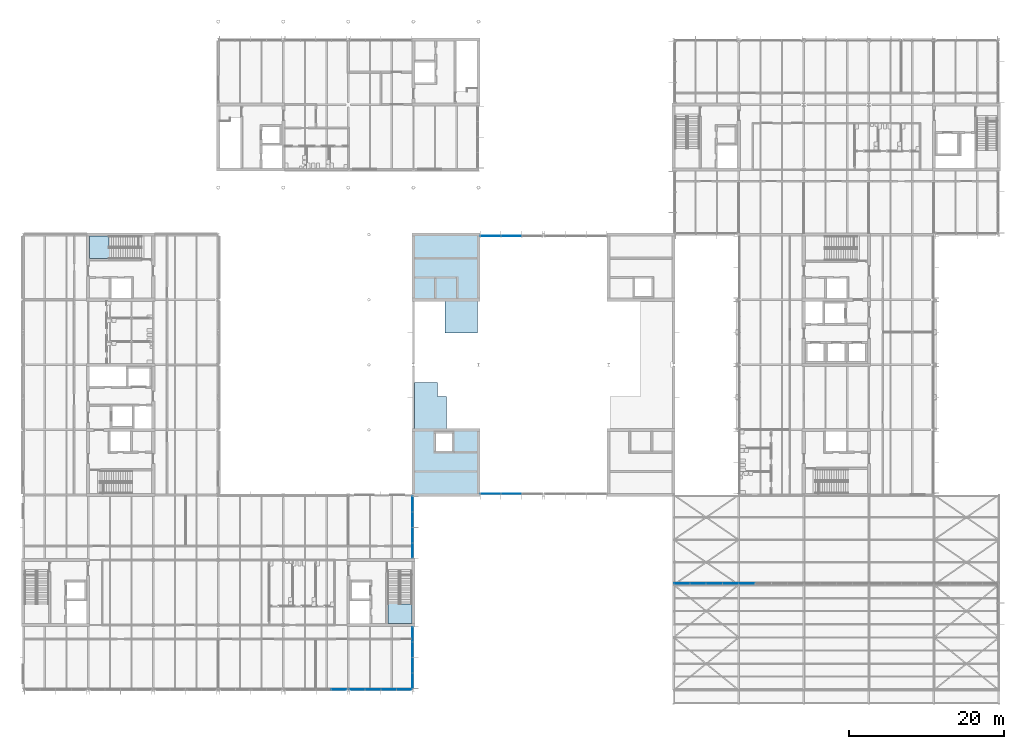
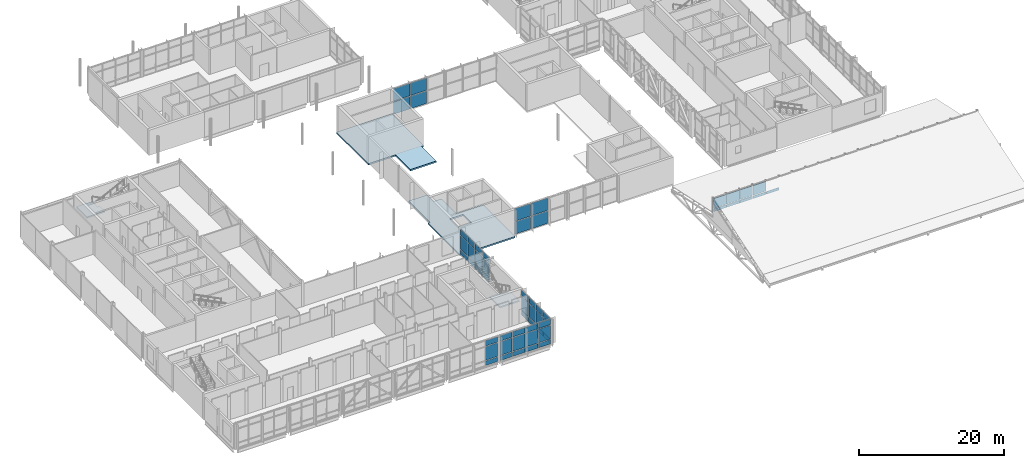
# One storey, part 40 of 89: 56 plates, 4 slabs, 9 elements without a shape of their own.
"""IFC4 building model written with IfcOpenShell, lengths in metres."""

from ifc_helpers import new_model, si_unit, direction, frame, origin, origin_2d, place, context, subcontext, project, spatial, polyline, rectangle, outline, extrude, material, layer, layer_set, type_object, element, aggregate, save


model = new_model("IFC4")

# Units and contexts
model_context = context("Model", 3, precision=1e-05, world=origin(), true_north=direction((0.0, 1.0)))
body_context = subcontext(model_context, "Body", "Model", "MODEL_VIEW")
ifc_project = project(units=[si_unit("LENGTHUNIT", "METRE"), si_unit("AREAUNIT", "SQUARE_METRE"), si_unit("VOLUMEUNIT", "CUBIC_METRE"), si_unit("PLANEANGLEUNIT", "RADIAN"), si_unit("MASSUNIT", "GRAM", prefix="KILO")], contexts=[model_context])

# Site, building, storey
site_placement = place(None, origin())
site = spatial("IfcSite", under=ifc_project, at=site_placement, CompositionType="ELEMENT")
building_placement = place(site_placement, origin())
building = spatial("IfcBuilding", under=site, at=building_placement, Name="Hlaing Beacon Police Headquarters", CompositionType="ELEMENT")
storey_placement = place(building_placement, frame((0.0, 0.0, 9.89990234375)))
storey = spatial("IfcBuildingStorey", under=building, at=storey_placement, Name="L02", CompositionType="ELEMENT", Elevation=9.89990234375)

# Curtain wall, plates
ifc_material_1 = material(Name="Aluminium frame with solar control glazing", Category="aluminium")
curtain_wall_type_1 = type_object("IfcCurtainWallType", Name="Unitised curtain wall 8.02 x 4.37", PredefinedType="NOTDEFINED", material=ifc_material_1)
curtain_wall_1_placement = place(storey_placement, origin())
curtain_wall_1 = element("IfcCurtainWall", 1, at=curtain_wall_1_placement, inside=storey, type_object=curtain_wall_type_1, Name="ENV-CW-L02-E007", PredefinedType="NOTDEFINED")
ifc_material_2 = material(Name="Solar control glazing", Category="glass")
ifc_layer_1 = layer(ifc_material_2, 0.02392578125)
ifc_layer_set_1 = layer_set([ifc_layer_1], Name="Solar control glazing")
plate_type_1 = type_object("IfcPlateType", Name="Clear glazing panel 24", PredefinedType="CURTAIN_PANEL", material=ifc_layer_set_1)
plate_1_placement = place(storey_placement, frame((58.699951171875, 9.594482421875, 3.35009765625), z_axis=(0.0, 0.0, 1.0), x_axis=(0.0, 1.0, 0.0)))
plate_1 = element("IfcPlate", 2, at=plate_1_placement, type_object=plate_type_1, Name="CW-L02-E007 panel 1.3", PredefinedType="CURTAIN_PANEL", context=body_context, shape_type="SweptSolid", body=[
    extrude(rectangle(XDim=1.915771484375, YDim=0.02392578125, at=origin_2d()), origin(), (0.0, 0.0, 1.0), 0.919921875),
])
plate_2_placement = place(storey_placement, frame((58.699951171875, 11.585205078125, 3.35009765625), z_axis=(0.0, 0.0, 1.0), x_axis=(0.0, 1.0, 0.0)))
plate_2 = element("IfcPlate", 3, at=plate_2_placement, type_object=plate_type_1, Name="CW-L02-E007 panel 2.3", PredefinedType="CURTAIN_PANEL", context=body_context, shape_type="SweptSolid", body=[
    extrude(rectangle(XDim=1.94580078125, YDim=0.02392578125, at=origin_2d()), origin(), (0.0, 0.0, 1.0), 0.919921875),
])
plate_3_placement = place(storey_placement, frame((58.699951171875, 13.59130859375, 3.35009765625), z_axis=(0.0, 0.0, 1.0), x_axis=(0.0, 1.0, 0.0)))
plate_3 = element("IfcPlate", 4, at=plate_3_placement, type_object=plate_type_1, Name="CW-L02-E007 panel 3.3", PredefinedType="CURTAIN_PANEL", context=body_context, shape_type="SweptSolid", body=[
    extrude(rectangle(XDim=1.94580078125, YDim=0.02392578125, at=origin_2d()), origin(), (0.0, 0.0, 1.0), 0.919921875),
])
plate_4_placement = place(storey_placement, frame((58.699951171875, 15.58203125, 3.35009765625), z_axis=(0.0, 0.0, 1.0), x_axis=(0.0, 1.0, 0.0)))
plate_4 = element("IfcPlate", 5, at=plate_4_placement, type_object=plate_type_1, Name="CW-L02-E007 panel 4.3", PredefinedType="CURTAIN_PANEL", context=body_context, shape_type="SweptSolid", body=[
    extrude(rectangle(XDim=1.915771484375, YDim=0.02392578125, at=origin_2d()), origin(), (0.0, 0.0, 1.0), 0.919921875),
])

ifc_material_3 = material(Name="Aluminium frame with solar control glazing", Category="aluminium")
curtain_wall_type_2 = type_object("IfcCurtainWallType", Name="Unitised curtain wall 8.00 x 4.37", PredefinedType="NOTDEFINED", material=ifc_material_3)
curtain_wall_2_placement = place(storey_placement, origin())
curtain_wall_2 = element("IfcCurtainWall", 6, at=curtain_wall_2_placement, inside=storey, type_object=curtain_wall_type_2, Name="ENV-CW-L02-E008", PredefinedType="NOTDEFINED")
plate_5_placement = place(storey_placement, frame((58.699951171875, 26.4150390625, 3.35009765625), z_axis=(0.0, 0.0, 1.0), x_axis=(0.0, 1.0, 0.0)))
plate_5 = element("IfcPlate", 7, at=plate_5_placement, type_object=plate_type_1, Name="CW-L02-E008 panel 1.3", PredefinedType="CURTAIN_PANEL", context=body_context, shape_type="SweptSolid", body=[
    extrude(rectangle(XDim=1.909912109375, YDim=0.02392578125, at=origin_2d()), origin(), (0.0, 0.0, 1.0), 0.919921875),
])
plate_6_placement = place(storey_placement, frame((58.699951171875, 28.39990234375, 3.35009765625), z_axis=(0.0, 0.0, 1.0), x_axis=(0.0, 1.0, 0.0)))
plate_6 = element("IfcPlate", 8, at=plate_6_placement, type_object=plate_type_1, Name="CW-L02-E008 panel 2.3", PredefinedType="CURTAIN_PANEL", context=body_context, shape_type="SweptSolid", body=[
    extrude(rectangle(XDim=1.93994140625, YDim=0.02392578125, at=origin_2d()), origin(), (0.0, 0.0, 1.0), 0.919921875),
])
plate_7_placement = place(storey_placement, frame((58.699951171875, 30.39990234375, 3.35009765625), z_axis=(0.0, 0.0, 1.0), x_axis=(0.0, 1.0, 0.0)))
plate_7 = element("IfcPlate", 9, at=plate_7_placement, type_object=plate_type_1, Name="CW-L02-E008 panel 3.3", PredefinedType="CURTAIN_PANEL", context=body_context, shape_type="SweptSolid", body=[
    extrude(rectangle(XDim=1.93994140625, YDim=0.02392578125, at=origin_2d()), origin(), (0.0, 0.0, 1.0), 0.919921875),
])
plate_8_placement = place(storey_placement, frame((58.699951171875, 32.385009765625, 3.35009765625), z_axis=(0.0, 0.0, 1.0), x_axis=(0.0, 1.0, 0.0)))
plate_8 = element("IfcPlate", 10, at=plate_8_placement, type_object=plate_type_1, Name="CW-L02-E008 panel 4.3", PredefinedType="CURTAIN_PANEL", context=body_context, shape_type="SweptSolid", body=[
    extrude(rectangle(XDim=1.909912109375, YDim=0.02392578125, at=origin_2d()), origin(), (0.0, 0.0, 1.0), 0.919921875),
])

# Curtain wall, plate
ifc_material_4 = material(Name="Aluminium frame with solar control glazing", Category="aluminium")
curtain_wall_type_3 = type_object("IfcCurtainWallType", Name="Unitised curtain wall 8.09 x 4.37", PredefinedType="NOTDEFINED", material=ifc_material_4)
curtain_wall_3_placement = place(storey_placement, origin())
curtain_wall_3 = element("IfcCurtainWall", 11, at=curtain_wall_3_placement, inside=storey, type_object=curtain_wall_type_3, Name="ENV-CW-L02-S013", PredefinedType="NOTDEFINED")
plate_9_placement = place(storey_placement, frame((49.245849609375, 8.5, 3.35009765625), z_axis=(0.0, 0.0, 1.0), x_axis=(1.0, 0.0, 0.0)))
plate_9 = element("IfcPlate", 12, at=plate_9_placement, type_object=plate_type_1, Name="CW-L02-S013 panel 4.3", PredefinedType="CURTAIN_PANEL", context=body_context, shape_type="SweptSolid", body=[
    extrude(rectangle(XDim=1.931640625, YDim=0.02392578125, at=origin_2d()), origin(), (0.0, 0.0, 1.0), 0.919921875),
])

# Curtain wall, plates
ifc_material_5 = material(Name="Aluminium frame with solar control glazing", Category="aluminium")
curtain_wall_type_4 = type_object("IfcCurtainWallType", Name="Unitised curtain wall 8.14 x 4.37", PredefinedType="NOTDEFINED", material=ifc_material_5)
curtain_wall_4_placement = place(storey_placement, origin())
curtain_wall_4 = element("IfcCurtainWall", 13, at=curtain_wall_4_placement, inside=storey, type_object=curtain_wall_type_4, Name="ENV-CW-L02-S014", PredefinedType="NOTDEFINED")
plate_10_placement = place(storey_placement, frame((51.561279296875, 8.5, 3.35009765625), z_axis=(0.0, 0.0, 1.0), x_axis=(1.0, 0.0, 0.0)))
plate_10 = element("IfcPlate", 14, at=plate_10_placement, type_object=plate_type_1, Name="CW-L02-S014 panel 1.3", PredefinedType="CURTAIN_PANEL", context=body_context, shape_type="SweptSolid", body=[
    extrude(rectangle(XDim=1.9462890625, YDim=0.02392578125, at=origin_2d()), origin(), (0.0, 0.0, 1.0), 0.919921875),
])
plate_11_placement = place(storey_placement, frame((53.58251953125, 8.5, 3.35009765625), z_axis=(0.0, 0.0, 1.0), x_axis=(1.0, 0.0, 0.0)))
plate_11 = element("IfcPlate", 15, at=plate_11_placement, type_object=plate_type_1, Name="CW-L02-S014 panel 2.3", PredefinedType="CURTAIN_PANEL", context=body_context, shape_type="SweptSolid", body=[
    extrude(rectangle(XDim=1.97607421875, YDim=0.02392578125, at=origin_2d()), origin(), (0.0, 0.0, 1.0), 0.919921875),
])
plate_12_placement = place(storey_placement, frame((55.61865234375, 8.5, 3.35009765625), z_axis=(0.0, 0.0, 1.0), x_axis=(1.0, 0.0, 0.0)))
plate_12 = element("IfcPlate", 16, at=plate_12_placement, type_object=plate_type_1, Name="CW-L02-S014 panel 3.3", PredefinedType="CURTAIN_PANEL", context=body_context, shape_type="SweptSolid", body=[
    extrude(rectangle(XDim=1.97607421875, YDim=0.02392578125, at=origin_2d()), origin(), (0.0, 0.0, 1.0), 0.919921875),
])
plate_13_placement = place(storey_placement, frame((57.639892578125, 8.5, 3.35009765625), z_axis=(0.0, 0.0, 1.0), x_axis=(1.0, 0.0, 0.0)))
plate_13 = element("IfcPlate", 17, at=plate_13_placement, type_object=plate_type_1, Name="CW-L02-S014 panel 4.3", PredefinedType="CURTAIN_PANEL", context=body_context, shape_type="SweptSolid", body=[
    extrude(rectangle(XDim=1.9462890625, YDim=0.02392578125, at=origin_2d()), origin(), (0.0, 0.0, 1.0), 0.919921875),
])

# Plate
ifc_material_6 = material(Name="Solar control glazing", Category="glass")
ifc_layer_2 = layer(ifc_material_6, 0.0439453125)
ifc_layer_set_2 = layer_set([ifc_layer_2], Name="Solar control glazing")
plate_type_2 = type_object("IfcPlateType", Name="Clear glazing panel 44", PredefinedType="CURTAIN_PANEL", material=ifc_layer_set_2)
plate_14_placement = place(storey_placement, frame((58.699951171875, 9.594482421875, 0.9501953125), z_axis=(0.0, 0.0, 1.0), x_axis=(0.0, 1.0, 0.0)))
plate_14 = element("IfcPlate", 18, at=plate_14_placement, type_object=plate_type_2, Name="CW-L02-E007 panel 1.2", PredefinedType="CURTAIN_PANEL", context=body_context, shape_type="SweptSolid", body=[
    extrude(rectangle(XDim=1.915771484375, YDim=0.0439453125, at=origin_2d()), origin(), (0.0, 0.0, 1.0), 2.300048828125),
])

plate_15_placement = place(storey_placement, frame((58.699951171875, 11.585205078125, 0.9501953125), z_axis=(0.0, 0.0, 1.0), x_axis=(0.0, 1.0, 0.0)))
plate_15 = element("IfcPlate", 19, at=plate_15_placement, type_object=plate_type_2, Name="CW-L02-E007 panel 2.2", PredefinedType="CURTAIN_PANEL", context=body_context, shape_type="SweptSolid", body=[
    extrude(rectangle(XDim=1.94580078125, YDim=0.0439453125, at=origin_2d()), origin(), (0.0, 0.0, 1.0), 2.300048828125),
])

plate_16_placement = place(storey_placement, frame((58.699951171875, 13.59130859375, 0.9501953125), z_axis=(0.0, 0.0, 1.0), x_axis=(0.0, 1.0, 0.0)))
plate_16 = element("IfcPlate", 20, at=plate_16_placement, type_object=plate_type_2, Name="CW-L02-E007 panel 3.2", PredefinedType="CURTAIN_PANEL", context=body_context, shape_type="SweptSolid", body=[
    extrude(rectangle(XDim=1.94580078125, YDim=0.0439453125, at=origin_2d()), origin(), (0.0, 0.0, 1.0), 2.300048828125),
])

plate_17_placement = place(storey_placement, frame((58.699951171875, 15.58203125, 0.9501953125), z_axis=(0.0, 0.0, 1.0), x_axis=(0.0, 1.0, 0.0)))
plate_17 = element("IfcPlate", 21, at=plate_17_placement, type_object=plate_type_2, Name="CW-L02-E007 panel 4.2", PredefinedType="CURTAIN_PANEL", context=body_context, shape_type="SweptSolid", body=[
    extrude(rectangle(XDim=1.915771484375, YDim=0.0439453125, at=origin_2d()), origin(), (0.0, 0.0, 1.0), 2.300048828125),
])

plate_18_placement = place(storey_placement, frame((58.699951171875, 26.4150390625, 0.9501953125), z_axis=(0.0, 0.0, 1.0), x_axis=(0.0, 1.0, 0.0)))
plate_18 = element("IfcPlate", 22, at=plate_18_placement, type_object=plate_type_2, Name="CW-L02-E008 panel 1.2", PredefinedType="CURTAIN_PANEL", context=body_context, shape_type="SweptSolid", body=[
    extrude(rectangle(XDim=1.909912109375, YDim=0.0439453125, at=origin_2d()), origin(), (0.0, 0.0, 1.0), 2.300048828125),
])

plate_19_placement = place(storey_placement, frame((58.699951171875, 28.39990234375, 0.9501953125), z_axis=(0.0, 0.0, 1.0), x_axis=(0.0, 1.0, 0.0)))
plate_19 = element("IfcPlate", 23, at=plate_19_placement, type_object=plate_type_2, Name="CW-L02-E008 panel 2.2", PredefinedType="CURTAIN_PANEL", context=body_context, shape_type="SweptSolid", body=[
    extrude(rectangle(XDim=1.93994140625, YDim=0.0439453125, at=origin_2d()), origin(), (0.0, 0.0, 1.0), 2.300048828125),
])

plate_20_placement = place(storey_placement, frame((58.699951171875, 30.39990234375, 0.9501953125), z_axis=(0.0, 0.0, 1.0), x_axis=(0.0, 1.0, 0.0)))
plate_20 = element("IfcPlate", 24, at=plate_20_placement, type_object=plate_type_2, Name="CW-L02-E008 panel 3.2", PredefinedType="CURTAIN_PANEL", context=body_context, shape_type="SweptSolid", body=[
    extrude(rectangle(XDim=1.93994140625, YDim=0.0439453125, at=origin_2d()), origin(), (0.0, 0.0, 1.0), 2.300048828125),
])

plate_21_placement = place(storey_placement, frame((58.699951171875, 32.385009765625, 0.9501953125), z_axis=(0.0, 0.0, 1.0), x_axis=(0.0, 1.0, 0.0)))
plate_21 = element("IfcPlate", 25, at=plate_21_placement, type_object=plate_type_2, Name="CW-L02-E008 panel 4.2", PredefinedType="CURTAIN_PANEL", context=body_context, shape_type="SweptSolid", body=[
    extrude(rectangle(XDim=1.909912109375, YDim=0.0439453125, at=origin_2d()), origin(), (0.0, 0.0, 1.0), 2.300048828125),
])

plate_22_placement = place(storey_placement, frame((49.245849609375, 8.5, 0.9501953125), z_axis=(0.0, 0.0, 1.0), x_axis=(1.0, 0.0, 0.0)))
plate_22 = element("IfcPlate", 26, at=plate_22_placement, type_object=plate_type_2, Name="CW-L02-S013 panel 4.2", PredefinedType="CURTAIN_PANEL", context=body_context, shape_type="SweptSolid", body=[
    extrude(rectangle(XDim=1.931640625, YDim=0.0439453125, at=origin_2d()), origin(), (0.0, 0.0, 1.0), 2.300048828125),
])

plate_23_placement = place(storey_placement, frame((51.561279296875, 8.5, 0.9501953125), z_axis=(0.0, 0.0, 1.0), x_axis=(1.0, 0.0, 0.0)))
plate_23 = element("IfcPlate", 27, at=plate_23_placement, type_object=plate_type_2, Name="CW-L02-S014 panel 1.2", PredefinedType="CURTAIN_PANEL", context=body_context, shape_type="SweptSolid", body=[
    extrude(rectangle(XDim=1.9462890625, YDim=0.0439453125, at=origin_2d()), origin(), (0.0, 0.0, 1.0), 2.300048828125),
])

plate_24_placement = place(storey_placement, frame((53.58251953125, 8.5, 0.9501953125), z_axis=(0.0, 0.0, 1.0), x_axis=(1.0, 0.0, 0.0)))
plate_24 = element("IfcPlate", 28, at=plate_24_placement, type_object=plate_type_2, Name="CW-L02-S014 panel 2.2", PredefinedType="CURTAIN_PANEL", context=body_context, shape_type="SweptSolid", body=[
    extrude(rectangle(XDim=1.97607421875, YDim=0.0439453125, at=origin_2d()), origin(), (0.0, 0.0, 1.0), 2.300048828125),
])

plate_25_placement = place(storey_placement, frame((55.61865234375, 8.5, 0.9501953125), z_axis=(0.0, 0.0, 1.0), x_axis=(1.0, 0.0, 0.0)))
plate_25 = element("IfcPlate", 29, at=plate_25_placement, type_object=plate_type_2, Name="CW-L02-S014 panel 3.2", PredefinedType="CURTAIN_PANEL", context=body_context, shape_type="SweptSolid", body=[
    extrude(rectangle(XDim=1.97607421875, YDim=0.0439453125, at=origin_2d()), origin(), (0.0, 0.0, 1.0), 2.300048828125),
])

plate_26_placement = place(storey_placement, frame((57.639892578125, 8.5, 0.9501953125), z_axis=(0.0, 0.0, 1.0), x_axis=(1.0, 0.0, 0.0)))
plate_26 = element("IfcPlate", 30, at=plate_26_placement, type_object=plate_type_2, Name="CW-L02-S014 panel 4.2", PredefinedType="CURTAIN_PANEL", context=body_context, shape_type="SweptSolid", body=[
    extrude(rectangle(XDim=1.9462890625, YDim=0.0439453125, at=origin_2d()), origin(), (0.0, 0.0, 1.0), 2.300048828125),
])

# Curtain wall, plates
ifc_material_7 = material(Name="Aluminium frame with solar control glazing", Category="aluminium")
curtain_wall_type_5 = type_object("IfcCurtainWallType", Name="Clerestory glazing 42.00 x 2.42", PredefinedType="NOTDEFINED", material=ifc_material_7)
curtain_wall_5_placement = place(storey_placement, origin())
curtain_wall_5 = element("IfcCurtainWall", 31, at=curtain_wall_5_placement, inside=storey, type_object=curtain_wall_type_5, Name="ENV-CLR-V3-38", PredefinedType="NOTDEFINED")
plate_27_placement = place(storey_placement, frame((93.465087890625, 22.17822265625, 2.731201171875), z_axis=(0.0, 0.0, 1.0), x_axis=(1.0, 0.0, 0.0)))
plate_27 = element("IfcPlate", 32, at=plate_27_placement, type_object=plate_type_2, Name="CLR-V3-38 panel 1.2", PredefinedType="CURTAIN_PANEL", context=body_context, shape_type="SweptSolid", body=[
    extrude(rectangle(XDim=2.010009765625, YDim=0.0439453125, at=origin_2d()), origin(), (0.0, 0.0, 1.0), 1.6689453125),
])
plate_28_placement = place(storey_placement, frame((95.550048828125, 22.17822265625, 2.731201171875), z_axis=(0.0, 0.0, 1.0), x_axis=(1.0, 0.0, 0.0)))
plate_28 = element("IfcPlate", 33, at=plate_28_placement, type_object=plate_type_2, Name="CLR-V3-38 panel 2.2", PredefinedType="CURTAIN_PANEL", context=body_context, shape_type="SweptSolid", body=[
    extrude(rectangle(XDim=2.0400390625, YDim=0.0439453125, at=origin_2d()), origin(), (0.0, 0.0, 1.0), 1.6689453125),
])
plate_29_placement = place(storey_placement, frame((97.64990234375, 22.17822265625, 2.731201171875), z_axis=(0.0, 0.0, 1.0), x_axis=(1.0, 0.0, 0.0)))
plate_29 = element("IfcPlate", 34, at=plate_29_placement, type_object=plate_type_2, Name="CLR-V3-38 panel 3.2", PredefinedType="CURTAIN_PANEL", context=body_context, shape_type="SweptSolid", body=[
    extrude(rectangle(XDim=2.0400390625, YDim=0.0439453125, at=origin_2d()), origin(), (0.0, 0.0, 1.0), 1.6689453125),
])
plate_30_placement = place(storey_placement, frame((99.75, 22.17822265625, 2.731201171875), z_axis=(0.0, 0.0, 1.0), x_axis=(1.0, 0.0, 0.0)))
plate_30 = element("IfcPlate", 35, at=plate_30_placement, type_object=plate_type_2, Name="CLR-V3-38 panel 4.2", PredefinedType="CURTAIN_PANEL", context=body_context, shape_type="SweptSolid", body=[
    extrude(rectangle(XDim=2.0400390625, YDim=0.0439453125, at=origin_2d()), origin(), (0.0, 0.0, 1.0), 1.6689453125),
])

# Slabs
ifc_material_8 = material(Name="Concrete C40/50", Category="concrete")
ifc_layer_3 = layer(ifc_material_8, 0.25)
ifc_layer_set_3 = layer_set([ifc_layer_3], Name="Concrete C40/50")
slab_type_1 = type_object("IfcSlabType", Name="Enclosure roof slab 250", PredefinedType="ROOF", material=ifc_layer_set_3)
slab_1_placement = place(storey_placement, frame((0.0, 0.0, -0.25)))
element("IfcSlab", 36, at=slab_1_placement, inside=storey, type_object=slab_type_1, Name="STR-SLAB-L02-V1-CAP01", PredefinedType="ROOF", context=body_context, shape_type="SweptSolid", body=[
    extrude(outline(polyline([(58.60009765625, 33.39990234375), (67.39990234375, 33.39990234375), (67.39990234375, 42.199951171875), (63.10009765625, 42.199951171875), (63.10009765625, 46.300048828125), (61.89990234375, 46.300048828125), (61.89990234375, 48.10009765625), (58.949951171875, 48.10009765625), (58.949951171875, 42.199951171875), (58.60009765625, 42.199951171875), (58.60009765625, 33.39990234375)]), holes=[polyline([(61.64990234375, 39.25), (63.800048828125, 39.25), (63.800048828125, 41.550048828125), (61.64990234375, 41.550048828125), (61.64990234375, 39.25)])]), origin(), (0.0, 0.0, 1.0), 0.25),
])
slab_2_placement = place(storey_placement, frame((0.0, 0.0, -0.25)))
element("IfcSlab", 37, at=slab_2_placement, inside=storey, type_object=slab_type_1, Name="STR-SLAB-L02-V1-CAP03", PredefinedType="ROOF", context=body_context, shape_type="SweptSolid", body=[
    extrude(outline(polyline([(62.89990234375, 54.5), (67.050048828125, 54.5), (67.050048828125, 58.60009765625), (67.39990234375, 58.60009765625), (67.39990234375, 67.39990234375), (58.60009765625, 67.39990234375), (58.60009765625, 58.60009765625), (62.89990234375, 58.60009765625), (62.89990234375, 54.5)])), origin(), (0.0, 0.0, 1.0), 0.25),
])

# Plate
ifc_material_9 = material(Name="Insulated aluminium spandrel", Category="aluminium")
ifc_layer_4 = layer(ifc_material_9, 0.0400390625)
ifc_layer_set_4 = layer_set([ifc_layer_4], Name="Insulated aluminium spandrel")
plate_type_3 = type_object("IfcPlateType", Name="Insulated spandrel panel 40", PredefinedType="CURTAIN_PANEL", material=ifc_layer_set_4)
plate_31_placement = place(storey_placement, frame((93.465087890625, 22.17822265625, 2.18115234375), z_axis=(0.0, 0.0, 1.0), x_axis=(1.0, 0.0, 0.0)))
plate_31 = element("IfcPlate", 38, at=plate_31_placement, type_object=plate_type_3, Name="CLR-V3-38 panel 1.1", PredefinedType="CURTAIN_PANEL", context=body_context, shape_type="SweptSolid", body=[
    extrude(rectangle(XDim=2.010009765625, YDim=0.0400390625, at=origin_2d()), origin(), (0.0, 0.0, 1.0), 0.449951171875),
])

plate_32_placement = place(storey_placement, frame((95.550048828125, 22.17822265625, 2.18115234375), z_axis=(0.0, 0.0, 1.0), x_axis=(1.0, 0.0, 0.0)))
plate_32 = element("IfcPlate", 39, at=plate_32_placement, type_object=plate_type_3, Name="CLR-V3-38 panel 2.1", PredefinedType="CURTAIN_PANEL", context=body_context, shape_type="SweptSolid", body=[
    extrude(rectangle(XDim=2.0400390625, YDim=0.0400390625, at=origin_2d()), origin(), (0.0, 0.0, 1.0), 0.449951171875),
])

plate_33_placement = place(storey_placement, frame((97.64990234375, 22.17822265625, 2.18115234375), z_axis=(0.0, 0.0, 1.0), x_axis=(1.0, 0.0, 0.0)))
plate_33 = element("IfcPlate", 40, at=plate_33_placement, type_object=plate_type_3, Name="CLR-V3-38 panel 3.1", PredefinedType="CURTAIN_PANEL", context=body_context, shape_type="SweptSolid", body=[
    extrude(rectangle(XDim=2.0400390625, YDim=0.0400390625, at=origin_2d()), origin(), (0.0, 0.0, 1.0), 0.449951171875),
])

plate_34_placement = place(storey_placement, frame((99.75, 22.17822265625, 2.18115234375), z_axis=(0.0, 0.0, 1.0), x_axis=(1.0, 0.0, 0.0)))
plate_34 = element("IfcPlate", 41, at=plate_34_placement, type_object=plate_type_3, Name="CLR-V3-38 panel 4.1", PredefinedType="CURTAIN_PANEL", context=body_context, shape_type="SweptSolid", body=[
    extrude(rectangle(XDim=2.0400390625, YDim=0.0400390625, at=origin_2d()), origin(), (0.0, 0.0, 1.0), 0.449951171875),
])

plate_35_placement = place(storey_placement, frame((101.85009765625, 22.17822265625, 2.18115234375), z_axis=(0.0, 0.0, 1.0), x_axis=(1.0, 0.0, 0.0)))
plate_35 = element("IfcPlate", 42, at=plate_35_placement, type_object=plate_type_3, Name="CLR-V3-38 panel 5.1", PredefinedType="CURTAIN_PANEL", context=body_context, shape_type="SweptSolid", body=[
    extrude(rectangle(XDim=2.0400390625, YDim=0.0400390625, at=origin_2d()), origin(), (0.0, 0.0, 1.0), 0.449951171875),
])

aggregate(curtain_wall_5, [plate_31, plate_27, plate_32, plate_28, plate_33, plate_29, plate_34, plate_30, plate_35])

# Curtain wall, plates
ifc_material_10 = material(Name="Aluminium frame with solar control glazing", Category="aluminium")
curtain_wall_type_6 = type_object("IfcCurtainWallType", Name="Structural glazed gable wall 8.07 x 4.50", PredefinedType="NOTDEFINED", material=ifc_material_10)
curtain_wall_6_placement = place(storey_placement, origin())
curtain_wall_6 = element("IfcCurtainWall", 43, at=curtain_wall_6_placement, inside=storey, type_object=curtain_wall_type_6, Name="ENV-CW-L02-N004", PredefinedType="NOTDEFINED")
ifc_material_11 = material(Name="Laminated solar control glazing", Category="glass")
ifc_layer_5 = layer(ifc_material_11, 0.0439453125)
ifc_layer_set_5 = layer_set([ifc_layer_5], Name="Laminated solar control glazing")
plate_type_4 = type_object("IfcPlateType", Name="Laminated glazing panel 44", PredefinedType="CURTAIN_PANEL", material=ifc_layer_set_5)
plate_36_placement = place(storey_placement, frame((71.435791015625, 67.050048828125, 0.10009765625), z_axis=(0.0, 0.0, 1.0), x_axis=(-1.0, 0.0, 0.0)))
plate_36 = element("IfcPlate", 44, at=plate_36_placement, type_object=plate_type_4, Name="CW-L02-N004 panel 2.1", PredefinedType="CURTAIN_PANEL", context=body_context, shape_type="SweptSolid", body=[
    extrude(rectangle(XDim=2.610595703125, YDim=0.0439453125, at=origin_2d()), origin(), (0.0, 0.0, 1.0), 2.10009765625),
])
plate_37_placement = place(storey_placement, frame((71.435791015625, 67.050048828125, 2.300048828125), z_axis=(0.0, 0.0, 1.0), x_axis=(-1.0, 0.0, 0.0)))
plate_37 = element("IfcPlate", 45, at=plate_37_placement, type_object=plate_type_4, Name="CW-L02-N004 panel 2.2", PredefinedType="CURTAIN_PANEL", context=body_context, shape_type="SweptSolid", body=[
    extrude(rectangle(XDim=2.610595703125, YDim=0.0439453125, at=origin_2d()), origin(), (0.0, 0.0, 1.0), 2.10009765625),
])
plate_38_placement = place(storey_placement, frame((68.765380859375, 67.050048828125, 0.10009765625), z_axis=(0.0, 0.0, 1.0), x_axis=(-1.0, 0.0, 0.0)))
plate_38 = element("IfcPlate", 46, at=plate_38_placement, type_object=plate_type_4, Name="CW-L02-N004 panel 3.1", PredefinedType="CURTAIN_PANEL", context=body_context, shape_type="SweptSolid", body=[
    extrude(rectangle(XDim=2.570556640625, YDim=0.0439453125, at=origin_2d()), origin(), (0.0, 0.0, 1.0), 2.10009765625),
])
plate_39_placement = place(storey_placement, frame((68.765380859375, 67.050048828125, 2.300048828125), z_axis=(0.0, 0.0, 1.0), x_axis=(-1.0, 0.0, 0.0)))
plate_39 = element("IfcPlate", 47, at=plate_39_placement, type_object=plate_type_4, Name="CW-L02-N004 panel 3.2", PredefinedType="CURTAIN_PANEL", context=body_context, shape_type="SweptSolid", body=[
    extrude(rectangle(XDim=2.570556640625, YDim=0.0439453125, at=origin_2d()), origin(), (0.0, 0.0, 1.0), 2.10009765625),
])
aggregate(curtain_wall_6, [plate_36, plate_37, plate_38, plate_39])

curtain_wall_7_placement = place(storey_placement, origin())
curtain_wall_7 = element("IfcCurtainWall", 48, at=curtain_wall_7_placement, inside=storey, type_object=curtain_wall_type_6, Name="ENV-CW-L02-S005", PredefinedType="NOTDEFINED")
plate_40_placement = place(storey_placement, frame((68.765380859375, 33.75, 0.10009765625), z_axis=(0.0, 0.0, 1.0), x_axis=(1.0, 0.0, 0.0)))
plate_40 = element("IfcPlate", 49, at=plate_40_placement, type_object=plate_type_4, Name="CW-L02-S005 panel 1.1", PredefinedType="CURTAIN_PANEL", context=body_context, shape_type="SweptSolid", body=[
    extrude(rectangle(XDim=2.570556640625, YDim=0.0439453125, at=origin_2d()), origin(), (0.0, 0.0, 1.0), 2.10009765625),
])
plate_41_placement = place(storey_placement, frame((68.765380859375, 33.75, 2.300048828125), z_axis=(0.0, 0.0, 1.0), x_axis=(1.0, 0.0, 0.0)))
plate_41 = element("IfcPlate", 50, at=plate_41_placement, type_object=plate_type_4, Name="CW-L02-S005 panel 1.2", PredefinedType="CURTAIN_PANEL", context=body_context, shape_type="SweptSolid", body=[
    extrude(rectangle(XDim=2.570556640625, YDim=0.0439453125, at=origin_2d()), origin(), (0.0, 0.0, 1.0), 2.10009765625),
])
plate_42_placement = place(storey_placement, frame((71.435791015625, 33.75, 0.10009765625), z_axis=(0.0, 0.0, 1.0), x_axis=(1.0, 0.0, 0.0)))
plate_42 = element("IfcPlate", 51, at=plate_42_placement, type_object=plate_type_4, Name="CW-L02-S005 panel 2.1", PredefinedType="CURTAIN_PANEL", context=body_context, shape_type="SweptSolid", body=[
    extrude(rectangle(XDim=2.610595703125, YDim=0.0439453125, at=origin_2d()), origin(), (0.0, 0.0, 1.0), 2.10009765625),
])
plate_43_placement = place(storey_placement, frame((71.435791015625, 33.75, 2.300048828125), z_axis=(0.0, 0.0, 1.0), x_axis=(1.0, 0.0, 0.0)))
plate_43 = element("IfcPlate", 52, at=plate_43_placement, type_object=plate_type_4, Name="CW-L02-S005 panel 2.2", PredefinedType="CURTAIN_PANEL", context=body_context, shape_type="SweptSolid", body=[
    extrude(rectangle(XDim=2.610595703125, YDim=0.0439453125, at=origin_2d()), origin(), (0.0, 0.0, 1.0), 2.10009765625),
])
aggregate(curtain_wall_7, [plate_40, plate_41, plate_42, plate_43])

# Stair, slab
ifc_material_12 = material(Name="Concrete C40/50", Category="concrete")
stair_type_1 = type_object("IfcStairType", Name="Half-turn stair 1500 wide, 4500 rise", PredefinedType="HALF_TURN_STAIR", material=ifc_material_12)
stair_1_placement = place(storey_placement, origin())
stair_1 = element("IfcStair", 53, at=stair_1_placement, inside=storey, type_object=stair_type_1, Name="Stair ST-K", PredefinedType="HALF_TURN_STAIR")
ifc_material_13 = material(Name="Concrete C40/50", Category="concrete")
ifc_layer_6 = layer(ifc_material_13, 0.219970703125)
ifc_layer_set_6 = layer_set([ifc_layer_6], Name="Concrete C40/50")
slab_type_2 = type_object("IfcSlabType", Name="Stair landing 220", PredefinedType="LANDING", material=ifc_layer_set_6)
slab_3_placement = place(storey_placement, frame((0.0, 0.0, 2.030029296875)))
slab_3 = element("IfcSlab", 54, at=slab_3_placement, type_object=slab_type_2, Name="ST-K landing 1", PredefinedType="LANDING", context=body_context, shape_type="SweptSolid", body=[
    extrude(outline(polyline([(58.60009765625, 19.510009765625), (58.60009765625, 17.0), (55.5, 17.0), (55.5, 19.89990234375), (57.0, 19.89990234375), (57.0, 19.510009765625), (58.60009765625, 19.510009765625)])), origin(), (0.0, 0.0, 1.0), 0.219970703125),
])
aggregate(stair_1, [slab_3])

ifc_material_14 = material(Name="Concrete C40/50", Category="concrete")
stair_type_2 = type_object("IfcStairType", Name="Half-turn stair 1400 wide, 4500 rise", PredefinedType="HALF_TURN_STAIR", material=ifc_material_14)
stair_2_placement = place(storey_placement, origin())
stair_2 = element("IfcStair", 55, at=stair_2_placement, inside=storey, type_object=stair_type_2, Name="Stair ST-P", PredefinedType="HALF_TURN_STAIR")
slab_4_placement = place(storey_placement, frame((0.0, 0.0, 2.030029296875)))
slab_4 = element("IfcSlab", 56, at=slab_4_placement, type_object=slab_type_2, Name="ST-P landing 1", PredefinedType="LANDING", context=body_context, shape_type="SweptSolid", body=[
    extrude(outline(polyline([(19.510009765625, 67.0), (17.0, 67.0), (17.0, 64.10009765625), (19.89990234375, 64.10009765625), (19.89990234375, 65.5), (19.510009765625, 65.5), (19.510009765625, 67.0)])), origin(), (0.0, 0.0, 1.0), 0.219970703125),
])
aggregate(stair_2, [slab_4])

# Plate
ifc_material_15 = material(Name="Terracotta ribbed cladding", Category="masonry")
ifc_layer_7 = layer(ifc_material_15, 0.06005859375)
ifc_layer_set_7 = layer_set([ifc_layer_7], Name="Terracotta ribbed cladding")
plate_type_5 = type_object("IfcPlateType", Name="Terracotta ribbed spandrel panel 60", PredefinedType="CURTAIN_PANEL", material=ifc_layer_set_7)
plate_44_placement = place(storey_placement, frame((58.699951171875, 9.594482421875, 0.10009765625), z_axis=(0.0, 0.0, 1.0), x_axis=(0.0, 1.0, 0.0)))
plate_44 = element("IfcPlate", 57, at=plate_44_placement, type_object=plate_type_5, Name="CW-L02-E007 panel 1.1", PredefinedType="CURTAIN_PANEL", context=body_context, shape_type="SweptSolid", body=[
    extrude(rectangle(XDim=1.915771484375, YDim=0.06005859375, at=origin_2d()), origin(), (0.0, 0.0, 1.0), 0.75),
])

plate_45_placement = place(storey_placement, frame((58.699951171875, 11.585205078125, 0.10009765625), z_axis=(0.0, 0.0, 1.0), x_axis=(0.0, 1.0, 0.0)))
plate_45 = element("IfcPlate", 58, at=plate_45_placement, type_object=plate_type_5, Name="CW-L02-E007 panel 2.1", PredefinedType="CURTAIN_PANEL", context=body_context, shape_type="SweptSolid", body=[
    extrude(rectangle(XDim=1.94580078125, YDim=0.06005859375, at=origin_2d()), origin(), (0.0, 0.0, 1.0), 0.75),
])

plate_46_placement = place(storey_placement, frame((58.699951171875, 13.59130859375, 0.10009765625), z_axis=(0.0, 0.0, 1.0), x_axis=(0.0, 1.0, 0.0)))
plate_46 = element("IfcPlate", 59, at=plate_46_placement, type_object=plate_type_5, Name="CW-L02-E007 panel 3.1", PredefinedType="CURTAIN_PANEL", context=body_context, shape_type="SweptSolid", body=[
    extrude(rectangle(XDim=1.94580078125, YDim=0.06005859375, at=origin_2d()), origin(), (0.0, 0.0, 1.0), 0.75),
])

plate_47_placement = place(storey_placement, frame((58.699951171875, 15.58203125, 0.10009765625), z_axis=(0.0, 0.0, 1.0), x_axis=(0.0, 1.0, 0.0)))
plate_47 = element("IfcPlate", 60, at=plate_47_placement, type_object=plate_type_5, Name="CW-L02-E007 panel 4.1", PredefinedType="CURTAIN_PANEL", context=body_context, shape_type="SweptSolid", body=[
    extrude(rectangle(XDim=1.915771484375, YDim=0.06005859375, at=origin_2d()), origin(), (0.0, 0.0, 1.0), 0.75),
])

aggregate(curtain_wall_1, [plate_44, plate_14, plate_1, plate_45, plate_15, plate_2, plate_46, plate_16, plate_3, plate_47, plate_17, plate_4])

plate_48_placement = place(storey_placement, frame((58.699951171875, 26.4150390625, 0.10009765625), z_axis=(0.0, 0.0, 1.0), x_axis=(0.0, 1.0, 0.0)))
plate_48 = element("IfcPlate", 61, at=plate_48_placement, type_object=plate_type_5, Name="CW-L02-E008 panel 1.1", PredefinedType="CURTAIN_PANEL", context=body_context, shape_type="SweptSolid", body=[
    extrude(rectangle(XDim=1.909912109375, YDim=0.06005859375, at=origin_2d()), origin(), (0.0, 0.0, 1.0), 0.75),
])

plate_49_placement = place(storey_placement, frame((58.699951171875, 28.39990234375, 0.10009765625), z_axis=(0.0, 0.0, 1.0), x_axis=(0.0, 1.0, 0.0)))
plate_49 = element("IfcPlate", 62, at=plate_49_placement, type_object=plate_type_5, Name="CW-L02-E008 panel 2.1", PredefinedType="CURTAIN_PANEL", context=body_context, shape_type="SweptSolid", body=[
    extrude(rectangle(XDim=1.93994140625, YDim=0.06005859375, at=origin_2d()), origin(), (0.0, 0.0, 1.0), 0.75),
])

plate_50_placement = place(storey_placement, frame((58.699951171875, 30.39990234375, 0.10009765625), z_axis=(0.0, 0.0, 1.0), x_axis=(0.0, 1.0, 0.0)))
plate_50 = element("IfcPlate", 63, at=plate_50_placement, type_object=plate_type_5, Name="CW-L02-E008 panel 3.1", PredefinedType="CURTAIN_PANEL", context=body_context, shape_type="SweptSolid", body=[
    extrude(rectangle(XDim=1.93994140625, YDim=0.06005859375, at=origin_2d()), origin(), (0.0, 0.0, 1.0), 0.75),
])

plate_51_placement = place(storey_placement, frame((58.699951171875, 32.385009765625, 0.10009765625), z_axis=(0.0, 0.0, 1.0), x_axis=(0.0, 1.0, 0.0)))
plate_51 = element("IfcPlate", 64, at=plate_51_placement, type_object=plate_type_5, Name="CW-L02-E008 panel 4.1", PredefinedType="CURTAIN_PANEL", context=body_context, shape_type="SweptSolid", body=[
    extrude(rectangle(XDim=1.909912109375, YDim=0.06005859375, at=origin_2d()), origin(), (0.0, 0.0, 1.0), 0.75),
])

aggregate(curtain_wall_2, [plate_48, plate_18, plate_5, plate_49, plate_19, plate_6, plate_50, plate_20, plate_7, plate_51, plate_21, plate_8])

plate_52_placement = place(storey_placement, frame((49.245849609375, 8.5, 0.10009765625), z_axis=(0.0, 0.0, 1.0), x_axis=(1.0, 0.0, 0.0)))
plate_52 = element("IfcPlate", 65, at=plate_52_placement, type_object=plate_type_5, Name="CW-L02-S013 panel 4.1", PredefinedType="CURTAIN_PANEL", context=body_context, shape_type="SweptSolid", body=[
    extrude(rectangle(XDim=1.931640625, YDim=0.06005859375, at=origin_2d()), origin(), (0.0, 0.0, 1.0), 0.75),
])

aggregate(curtain_wall_3, [plate_52, plate_22, plate_9])

plate_53_placement = place(storey_placement, frame((51.561279296875, 8.5, 0.10009765625), z_axis=(0.0, 0.0, 1.0), x_axis=(1.0, 0.0, 0.0)))
plate_53 = element("IfcPlate", 66, at=plate_53_placement, type_object=plate_type_5, Name="CW-L02-S014 panel 1.1", PredefinedType="CURTAIN_PANEL", context=body_context, shape_type="SweptSolid", body=[
    extrude(rectangle(XDim=1.9462890625, YDim=0.06005859375, at=origin_2d()), origin(), (0.0, 0.0, 1.0), 0.75),
])

plate_54_placement = place(storey_placement, frame((53.58251953125, 8.5, 0.10009765625), z_axis=(0.0, 0.0, 1.0), x_axis=(1.0, 0.0, 0.0)))
plate_54 = element("IfcPlate", 67, at=plate_54_placement, type_object=plate_type_5, Name="CW-L02-S014 panel 2.1", PredefinedType="CURTAIN_PANEL", context=body_context, shape_type="SweptSolid", body=[
    extrude(rectangle(XDim=1.97607421875, YDim=0.06005859375, at=origin_2d()), origin(), (0.0, 0.0, 1.0), 0.75),
])

plate_55_placement = place(storey_placement, frame((55.61865234375, 8.5, 0.10009765625), z_axis=(0.0, 0.0, 1.0), x_axis=(1.0, 0.0, 0.0)))
plate_55 = element("IfcPlate", 68, at=plate_55_placement, type_object=plate_type_5, Name="CW-L02-S014 panel 3.1", PredefinedType="CURTAIN_PANEL", context=body_context, shape_type="SweptSolid", body=[
    extrude(rectangle(XDim=1.97607421875, YDim=0.06005859375, at=origin_2d()), origin(), (0.0, 0.0, 1.0), 0.75),
])

plate_56_placement = place(storey_placement, frame((57.639892578125, 8.5, 0.10009765625), z_axis=(0.0, 0.0, 1.0), x_axis=(1.0, 0.0, 0.0)))
plate_56 = element("IfcPlate", 69, at=plate_56_placement, type_object=plate_type_5, Name="CW-L02-S014 panel 4.1", PredefinedType="CURTAIN_PANEL", context=body_context, shape_type="SweptSolid", body=[
    extrude(rectangle(XDim=1.9462890625, YDim=0.06005859375, at=origin_2d()), origin(), (0.0, 0.0, 1.0), 0.75),
])

aggregate(curtain_wall_4, [plate_53, plate_23, plate_10, plate_54, plate_24, plate_11, plate_55, plate_25, plate_12, plate_56, plate_26, plate_13])

save(model, "model.ifc")
